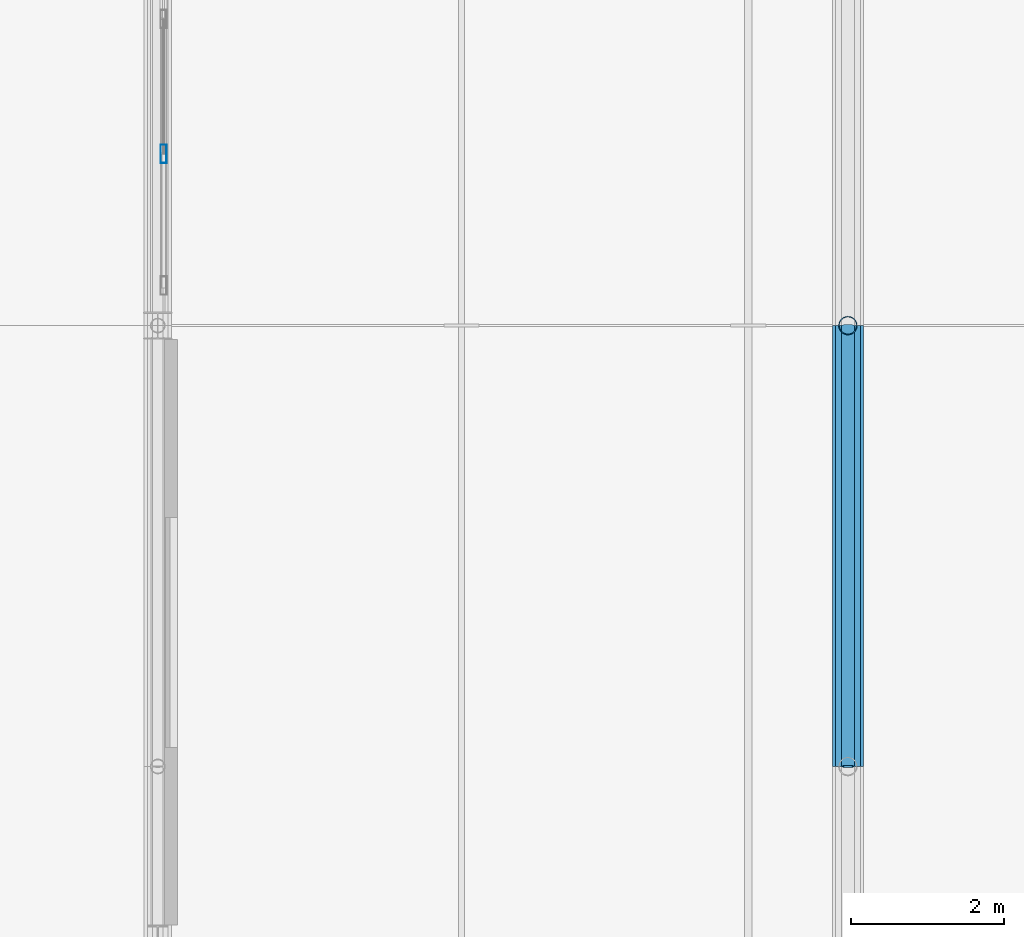
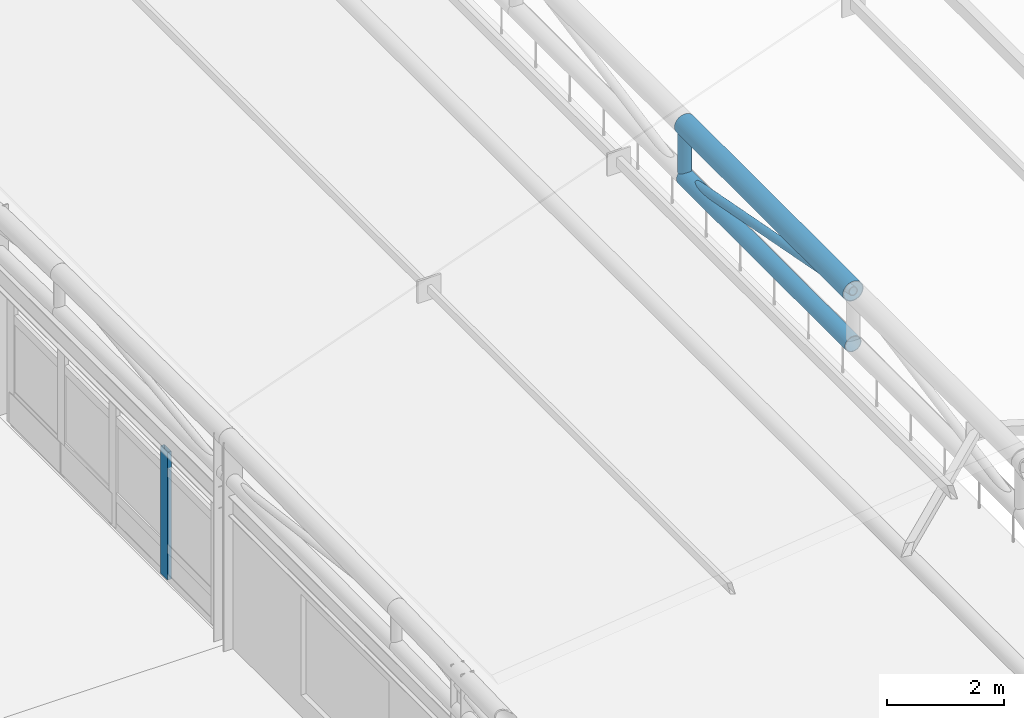
# One storey, part 14 of 168: 4 members, 1 beam, 1 element without a shape of its own.
"""IFC4 building model written with IfcOpenShell, lengths in metres."""

from ifc_helpers import new_model, si_unit, direction, frame, origin, origin_2d, place, context, subcontext, project, spatial, hollow_rectangle, hollow_circle, extrude, material, material_profile, profile_set, type_object, element, aggregate, save


model = new_model("IFC4")

# Units and contexts
model_context = context("Model", 3, precision=1e-05, world=origin(), true_north=direction((0.0, 1.0)))
body_context = subcontext(model_context, "Body", "Model", "MODEL_VIEW")
ifc_project = project(units=[si_unit("LENGTHUNIT", "METRE"), si_unit("AREAUNIT", "SQUARE_METRE"), si_unit("VOLUMEUNIT", "CUBIC_METRE"), si_unit("PLANEANGLEUNIT", "RADIAN"), si_unit("MASSUNIT", "GRAM", prefix="KILO"), si_unit("THERMODYNAMICTEMPERATUREUNIT", "KELVIN"), si_unit("POWERUNIT", "WATT")], contexts=[model_context])

# Site, building, storey
site_placement = place(None, origin())
site = spatial("IfcSite", under=ifc_project, at=site_placement, CompositionType="ELEMENT")
building_placement = place(site_placement, origin())
building = spatial("IfcBuilding", under=site, at=building_placement, Name="Tepalcoro Natatorium and Aquatics Centre", CompositionType="ELEMENT")
storey_placement = place(building_placement, frame((0.0, 0.0, 10.199951171875)))
storey = spatial("IfcBuildingStorey", under=building, at=storey_placement, Name="L02", CompositionType="ELEMENT", Elevation=10.199951171875)

# Beam
ifc_material_1 = material(Name="Terracotta Painted Hollow Steel ASTM A500 Grade C (Fy 345 MPa)", Category="masonry")
ifc_material_profile_1 = material_profile(ifc_material_1, hollow_circle(Radius=0.202880859375, WallThickness=0.01611328125, at=origin_2d()), Name="CHS406X16")
ifc_profile_set_1 = profile_set([ifc_material_profile_1], Name="Terracotta Painted Hollow Steel ASTM A500 Grade C (Fy 345 MPa)")
beam_type = type_object("IfcBeamType", Name="AC_CHS406x16", PredefinedType="USERDEFINED", material=ifc_profile_set_1)
beam_placement = place(storey_placement, frame((62.0, 30.25, 7.677978515625), z_axis=(0.0, 1.0, 0.0), x_axis=(-1.0, 0.0, 0.0)))
element("IfcBeam", 1, at=beam_placement, inside=storey, type_object=beam_type, Name="V1 Arched Truss Top Chord 2", ObjectType="ARCH CHORD", PredefinedType="USERDEFINED", context=body_context, shape_type="SweptSolid", body=[
    extrude(hollow_circle(Radius=0.202880859375, WallThickness=0.01611328125, at=origin_2d()), origin(), (0.0, 0.0, 1.0), 5.75),
])

# Curtain wall, member
ifc_material_2 = material(Name="Bronze-Anodised Extruded Aluminium Alloy EN AW-6063 T6", Category="aluminium")
curtain_wall_type = type_object("IfcCurtainWallType", Name="CW_LEAN_T2_NS", PredefinedType="USERDEFINED", material=ifc_material_2)
curtain_wall_placement = place(storey_placement, origin())
curtain_wall = element("IfcCurtainWall", 2, at=curtain_wall_placement, inside=storey, type_object=curtain_wall_type, Name="V1 L02 W Unitised Curtain Wall Bay 4", ObjectType="FACETED SOLAR GLAZING", PredefinedType="USERDEFINED")
ifc_material_profile_2 = material_profile(ifc_material_2, hollow_rectangle(XDim=0.080078125, YDim=0.239990234375, WallThickness=0.0048828125, at=origin_2d()), Name="AL80X240X5")
ifc_profile_set_2 = profile_set([ifc_material_profile_2], Name="Bronze-Anodised Extruded Aluminium Alloy EN AW-6063 T6")
member_type_1 = type_object("IfcMemberType", Name="CW_MUL_80x240", PredefinedType="MULLION", material=ifc_profile_set_2)
member_1_placement = place(storey_placement, frame((53.076171875, 38.239990234375, 0.02001953125), z_axis=(0.0, 0.0, 1.0), x_axis=(1.0, 0.0, 0.0)))
member_1 = element("IfcMember", 3, at=member_1_placement, type_object=member_type_1, Name="CW_LEAN_T2_NS Curtain Wall Mullion", PredefinedType="MULLION", context=body_context, shape_type="SweptSolid", body=[
    extrude(hollow_rectangle(XDim=0.080078125, YDim=0.239990234375, WallThickness=0.0048828125, at=origin_2d()), origin(), (0.0, 0.0, 1.0), 2.659912109375),
])
aggregate(curtain_wall, [member_1])

# Members
ifc_material_profile_3 = material_profile(ifc_material_1, hollow_circle(Radius=0.162109375, WallThickness=0.013916015625, at=origin_2d()), Name="CHS324X14")
ifc_profile_set_3 = profile_set([ifc_material_profile_3], Name="Terracotta Painted Hollow Steel ASTM A500 Grade C (Fy 345 MPa)")
member_type_2 = type_object("IfcMemberType", Name="MB_CH_CHS324x14", PredefinedType="CHORD", material=ifc_profile_set_3)
member_2_placement = place(storey_placement, frame((62.0, 30.25, 6.577880859375), z_axis=(0.0, 1.0, 0.0), x_axis=(-1.0, 0.0, 0.0)))
element("IfcMember", 4, at=member_2_placement, inside=storey, type_object=member_type_2, Name="V1 Arched Truss Bottom Chord 2", PredefinedType="CHORD", context=body_context, shape_type="SweptSolid", body=[
    extrude(hollow_circle(Radius=0.162109375, WallThickness=0.013916015625, at=origin_2d()), origin(), (0.0, 0.0, 1.0), 5.75),
])
ifc_material_profile_4 = material_profile(ifc_material_1, hollow_circle(Radius=0.1220703125, WallThickness=0.011962890625, at=origin_2d()), Name="CHS244X12")
ifc_profile_set_4 = profile_set([ifc_material_profile_4], Name="Terracotta Painted Hollow Steel ASTM A500 Grade C (Fy 345 MPa)")
member_type_3 = type_object("IfcMemberType", Name="MB_PS_CHS244x12", PredefinedType="POST", material=ifc_profile_set_4)
member_3_placement = place(storey_placement, frame((62.0, 36.0, 6.577880859375), z_axis=(0.0, 0.0, 1.0), x_axis=(1.0, 0.0, 0.0)))
element("IfcMember", 5, at=member_3_placement, inside=storey, type_object=member_type_3, Name="V1 Arched Truss Vertical Post 2", PredefinedType="POST", context=body_context, shape_type="SweptSolid", body=[
    extrude(hollow_circle(Radius=0.1220703125, WallThickness=0.011962890625, at=origin_2d()), origin(), (0.0, 0.0, 1.0), 1.10009765625),
])
ifc_material_profile_5 = material_profile(ifc_material_1, hollow_circle(Radius=0.083984375, WallThickness=0.011962890625, at=origin_2d()), Name="CHS168X12")
ifc_profile_set_5 = profile_set([ifc_material_profile_5], Name="Terracotta Painted Hollow Steel ASTM A500 Grade C (Fy 345 MPa)")
member_type_4 = type_object("IfcMemberType", Name="MB_ST_CHS168x12", PredefinedType="STRUT", material=ifc_profile_set_5)
member_4_placement = place(storey_placement, frame((62.0, 30.25, 7.677978515625), z_axis=(0.0, 0.98218566396, -0.18791306903), x_axis=(-1.0, 0.0, 0.0)))
element("IfcMember", 6, at=member_4_placement, inside=storey, type_object=member_type_4, Name="V1 Arched Truss Web Diagonal 2", PredefinedType="STRUT", context=body_context, shape_type="SweptSolid", body=[
    extrude(hollow_circle(Radius=0.083984375, WallThickness=0.011962890625, at=origin_2d()), origin(), (0.0, 0.0, 1.0), 5.854248046875),
])

save(model, "model.ifc")
